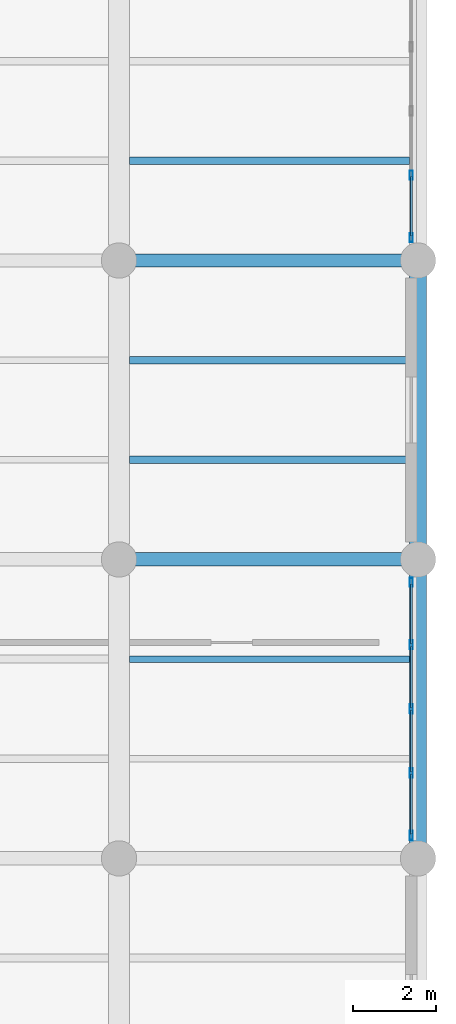
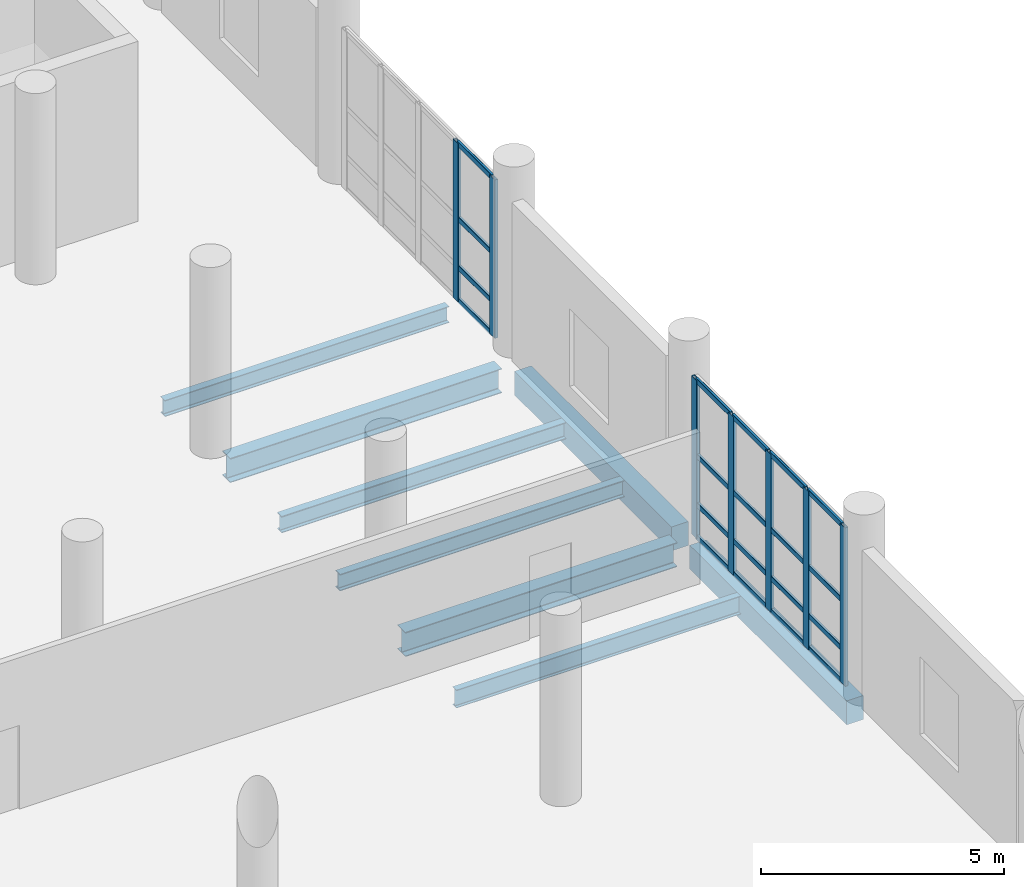
# One storey, part 70 of 127: 27 members, 8 beams, 2 elements without a shape of their own.
"""IFC4 building model written with IfcOpenShell, lengths in metres."""

from ifc_helpers import new_model, si_unit, direction, frame, origin, origin_2d, place, context, subcontext, project, spatial, rectangle, hollow_rectangle, i_section, extrude, material, material_profile, profile_set, type_object, element, aggregate, save


model = new_model("IFC4")

# Units and contexts
model_context = context("Model", 3, precision=1e-05, world=origin(), true_north=direction((0.0, 1.0)))
body_context = subcontext(model_context, "Body", "Model", "MODEL_VIEW")
ifc_project = project(units=[si_unit("LENGTHUNIT", "METRE"), si_unit("AREAUNIT", "SQUARE_METRE"), si_unit("VOLUMEUNIT", "CUBIC_METRE"), si_unit("PLANEANGLEUNIT", "RADIAN"), si_unit("MASSUNIT", "GRAM", prefix="KILO")], contexts=[model_context])

# Site, building, storey
site_placement = place(None, origin())
site = spatial("IfcSite", under=ifc_project, at=site_placement, CompositionType="ELEMENT")
building_placement = place(site_placement, origin())
building = spatial("IfcBuilding", under=site, at=building_placement, Name="Kalmorath City Hall", CompositionType="ELEMENT")
storey_placement = place(building_placement, frame((0.0, 0.0, 5.39990234375)))
storey = spatial("IfcBuildingStorey", under=building, at=storey_placement, Name="L01", CompositionType="ELEMENT", Elevation=5.39990234375)

# Beams
ifc_material_1 = material(Name="Concrete C40/50", Category="concrete")
ifc_material_profile_1 = material_profile(ifc_material_1, rectangle(XDim=0.39990234375, YDim=0.60009765625, at=origin_2d()), Name="RC-BM-400X600")
ifc_profile_set_1 = profile_set([ifc_material_profile_1], Name="Concrete C40/50")
beam_type_1 = type_object("IfcBeamType", Name="Concrete edge beam 400x600", PredefinedType="SPANDREL", material=ifc_profile_set_1)
for number, where, z_axis, x_axis, name in (
    (1, (165.60009765625, 65.175048828125, -0.6240234375), (0.0, 1.0, 0.0), (-1.0, 0.0, 0.0), "L01 girder CB6 Y24/10-11"),
    (2, (165.60009765625, 72.375, -0.6240234375), (0.0, 1.0, 0.0), (-1.0, 0.0, 0.0), "L01 girder CB6 Y24/11-12"),
):
    element("IfcBeam", number, at=place(storey_placement, frame(where, z_axis=z_axis, x_axis=x_axis)), inside=storey, type_object=beam_type_1, Name=name, PredefinedType="SPANDREL", context=body_context, shape_type="SweptSolid", body=[
        extrude(rectangle(XDim=0.39990234375, YDim=0.60009765625, at=origin_2d()), origin(), (0.0, 0.0, 1.0), 6.449951171875),
    ])

# Curtain wall, members
ifc_material_2 = material(Name="Anodised aluminium and laminated glass", Category="aluminium")
curtain_wall_type = type_object("IfcCurtainWallType", Name="Unitised hurricane curtain wall 6170x3976 M1650", PredefinedType="NOTDEFINED", material=ifc_material_2)
curtain_wall_1_placement = place(storey_placement, origin())
curtain_wall_1 = element("IfcCurtainWall", 3, at=curtain_wall_1_placement, inside=storey, type_object=curtain_wall_type, Name="L01 curtain wall CW-62X40M16 #64", PredefinedType="NOTDEFINED")
ifc_material_3 = material(Name="Anodised aluminium framing", Category="aluminium")
ifc_material_profile_2 = material_profile(ifc_material_3, hollow_rectangle(XDim=0.06005859375, YDim=0.1298828125, WallThickness=0.00341796875, InnerFilletRadius=0.00341796875, OuterFilletRadius=0.007080078125, at=origin_2d()), Name="ALU-TRN-130X60X3.5")
ifc_profile_set_2 = profile_set([ifc_material_profile_2], Name="Anodised aluminium framing")
member_type_1 = type_object("IfcMemberType", Name="Curtain-wall courtyard transom 130x60", PredefinedType="USERDEFINED", material=ifc_profile_set_2)
member_1_placement = place(storey_placement, frame((165.43994140625, 81.219970703125, 0.030029296875), z_axis=(0.0, -1.0, 0.0), x_axis=(1.0, 0.0, 0.0)))
member_1 = element("IfcMember", 4, at=member_1_placement, type_object=member_type_1, Name="CW-62X40M16 transom 4.1", ObjectType="TRANSOM", PredefinedType="USERDEFINED", context=body_context, shape_type="SweptSolid", body=[
    extrude(hollow_rectangle(XDim=0.06005859375, YDim=0.1298828125, WallThickness=0.00341796875, InnerFilletRadius=0.00341796875, OuterFilletRadius=0.007080078125, at=origin_2d()), origin(), (0.0, 0.0, 1.0), 1.429931640625),
])
member_2_placement = place(storey_placement, frame((165.43994140625, 81.219970703125, 0.85009765625), z_axis=(0.0, -1.0, 0.0), x_axis=(1.0, 0.0, 0.0)))
member_2 = element("IfcMember", 5, at=member_2_placement, type_object=member_type_1, Name="CW-62X40M16 transom 4.2", ObjectType="TRANSOM", PredefinedType="USERDEFINED", context=body_context, shape_type="SweptSolid", body=[
    extrude(hollow_rectangle(XDim=0.06005859375, YDim=0.1298828125, WallThickness=0.00341796875, InnerFilletRadius=0.00341796875, OuterFilletRadius=0.007080078125, at=origin_2d()), origin(), (0.0, 0.0, 1.0), 1.429931640625),
])
member_3_placement = place(storey_placement, frame((165.43994140625, 81.219970703125, 2.068115234375), z_axis=(0.0, -1.0, 0.0), x_axis=(1.0, 0.0, 0.0)))
member_3 = element("IfcMember", 6, at=member_3_placement, type_object=member_type_1, Name="CW-62X40M16 transom 4.3", ObjectType="TRANSOM", PredefinedType="USERDEFINED", context=body_context, shape_type="SweptSolid", body=[
    extrude(hollow_rectangle(XDim=0.06005859375, YDim=0.1298828125, WallThickness=0.00341796875, InnerFilletRadius=0.00341796875, OuterFilletRadius=0.007080078125, at=origin_2d()), origin(), (0.0, 0.0, 1.0), 1.429931640625),
])
member_4_placement = place(storey_placement, frame((165.43994140625, 81.219970703125, 3.946044921875), z_axis=(0.0, -1.0, 0.0), x_axis=(1.0, 0.0, 0.0)))
member_4 = element("IfcMember", 7, at=member_4_placement, type_object=member_type_1, Name="CW-62X40M16 transom 4.4", ObjectType="TRANSOM", PredefinedType="USERDEFINED", context=body_context, shape_type="SweptSolid", body=[
    extrude(hollow_rectangle(XDim=0.06005859375, YDim=0.1298828125, WallThickness=0.00341796875, InnerFilletRadius=0.00341796875, OuterFilletRadius=0.007080078125, at=origin_2d()), origin(), (0.0, 0.0, 1.0), 1.429931640625),
])

curtain_wall_2_placement = place(storey_placement, origin())
curtain_wall_2 = element("IfcCurtainWall", 8, at=curtain_wall_2_placement, inside=storey, type_object=curtain_wall_type, Name="L01 curtain wall CW-62X40M16 #65", PredefinedType="NOTDEFINED")
member_5_placement = place(storey_placement, frame((165.43994140625, 71.409912109375, 0.030029296875), z_axis=(0.0, -1.0, 0.0), x_axis=(1.0, 0.0, 0.0)))
member_5 = element("IfcMember", 9, at=member_5_placement, type_object=member_type_1, Name="CW-62X40M16 transom 1.1", ObjectType="TRANSOM", PredefinedType="USERDEFINED", context=body_context, shape_type="SweptSolid", body=[
    extrude(hollow_rectangle(XDim=0.06005859375, YDim=0.1298828125, WallThickness=0.00341796875, InnerFilletRadius=0.00341796875, OuterFilletRadius=0.007080078125, at=origin_2d()), origin(), (0.0, 0.0, 1.0), 1.429931640625),
])
member_6_placement = place(storey_placement, frame((165.43994140625, 71.409912109375, 0.85009765625), z_axis=(0.0, -1.0, 0.0), x_axis=(1.0, 0.0, 0.0)))
member_6 = element("IfcMember", 10, at=member_6_placement, type_object=member_type_1, Name="CW-62X40M16 transom 1.2", ObjectType="TRANSOM", PredefinedType="USERDEFINED", context=body_context, shape_type="SweptSolid", body=[
    extrude(hollow_rectangle(XDim=0.06005859375, YDim=0.1298828125, WallThickness=0.00341796875, InnerFilletRadius=0.00341796875, OuterFilletRadius=0.007080078125, at=origin_2d()), origin(), (0.0, 0.0, 1.0), 1.429931640625),
])
member_7_placement = place(storey_placement, frame((165.43994140625, 71.409912109375, 2.068115234375), z_axis=(0.0, -1.0, 0.0), x_axis=(1.0, 0.0, 0.0)))
member_7 = element("IfcMember", 11, at=member_7_placement, type_object=member_type_1, Name="CW-62X40M16 transom 1.3", ObjectType="TRANSOM", PredefinedType="USERDEFINED", context=body_context, shape_type="SweptSolid", body=[
    extrude(hollow_rectangle(XDim=0.06005859375, YDim=0.1298828125, WallThickness=0.00341796875, InnerFilletRadius=0.00341796875, OuterFilletRadius=0.007080078125, at=origin_2d()), origin(), (0.0, 0.0, 1.0), 1.429931640625),
])
member_8_placement = place(storey_placement, frame((165.43994140625, 71.409912109375, 3.946044921875), z_axis=(0.0, -1.0, 0.0), x_axis=(1.0, 0.0, 0.0)))
member_8 = element("IfcMember", 12, at=member_8_placement, type_object=member_type_1, Name="CW-62X40M16 transom 1.4", ObjectType="TRANSOM", PredefinedType="USERDEFINED", context=body_context, shape_type="SweptSolid", body=[
    extrude(hollow_rectangle(XDim=0.06005859375, YDim=0.1298828125, WallThickness=0.00341796875, InnerFilletRadius=0.00341796875, OuterFilletRadius=0.007080078125, at=origin_2d()), origin(), (0.0, 0.0, 1.0), 1.429931640625),
])
member_9_placement = place(storey_placement, frame((165.43994140625, 69.905029296875, 0.030029296875), z_axis=(0.0, -1.0, 0.0), x_axis=(1.0, 0.0, 0.0)))
member_9 = element("IfcMember", 13, at=member_9_placement, type_object=member_type_1, Name="CW-62X40M16 transom 2.1", ObjectType="TRANSOM", PredefinedType="USERDEFINED", context=body_context, shape_type="SweptSolid", body=[
    extrude(hollow_rectangle(XDim=0.06005859375, YDim=0.1298828125, WallThickness=0.00341796875, InnerFilletRadius=0.00341796875, OuterFilletRadius=0.007080078125, at=origin_2d()), origin(), (0.0, 0.0, 1.0), 1.467529296875),
])
member_10_placement = place(storey_placement, frame((165.43994140625, 69.905029296875, 0.85009765625), z_axis=(0.0, -1.0, 0.0), x_axis=(1.0, 0.0, 0.0)))
member_10 = element("IfcMember", 14, at=member_10_placement, type_object=member_type_1, Name="CW-62X40M16 transom 2.2", ObjectType="TRANSOM", PredefinedType="USERDEFINED", context=body_context, shape_type="SweptSolid", body=[
    extrude(hollow_rectangle(XDim=0.06005859375, YDim=0.1298828125, WallThickness=0.00341796875, InnerFilletRadius=0.00341796875, OuterFilletRadius=0.007080078125, at=origin_2d()), origin(), (0.0, 0.0, 1.0), 1.467529296875),
])
member_11_placement = place(storey_placement, frame((165.43994140625, 69.905029296875, 2.068115234375), z_axis=(0.0, -1.0, 0.0), x_axis=(1.0, 0.0, 0.0)))
member_11 = element("IfcMember", 15, at=member_11_placement, type_object=member_type_1, Name="CW-62X40M16 transom 2.3", ObjectType="TRANSOM", PredefinedType="USERDEFINED", context=body_context, shape_type="SweptSolid", body=[
    extrude(hollow_rectangle(XDim=0.06005859375, YDim=0.1298828125, WallThickness=0.00341796875, InnerFilletRadius=0.00341796875, OuterFilletRadius=0.007080078125, at=origin_2d()), origin(), (0.0, 0.0, 1.0), 1.467529296875),
])
member_12_placement = place(storey_placement, frame((165.43994140625, 69.905029296875, 3.946044921875), z_axis=(0.0, -1.0, 0.0), x_axis=(1.0, 0.0, 0.0)))
member_12 = element("IfcMember", 16, at=member_12_placement, type_object=member_type_1, Name="CW-62X40M16 transom 2.4", ObjectType="TRANSOM", PredefinedType="USERDEFINED", context=body_context, shape_type="SweptSolid", body=[
    extrude(hollow_rectangle(XDim=0.06005859375, YDim=0.1298828125, WallThickness=0.00341796875, InnerFilletRadius=0.00341796875, OuterFilletRadius=0.007080078125, at=origin_2d()), origin(), (0.0, 0.0, 1.0), 1.467529296875),
])
member_13_placement = place(storey_placement, frame((165.43994140625, 68.362548828125, 0.030029296875), z_axis=(0.0, -1.0, 0.0), x_axis=(1.0, 0.0, 0.0)))
member_13 = element("IfcMember", 17, at=member_13_placement, type_object=member_type_1, Name="CW-62X40M16 transom 3.1", ObjectType="TRANSOM", PredefinedType="USERDEFINED", context=body_context, shape_type="SweptSolid", body=[
    extrude(hollow_rectangle(XDim=0.06005859375, YDim=0.1298828125, WallThickness=0.00341796875, InnerFilletRadius=0.00341796875, OuterFilletRadius=0.007080078125, at=origin_2d()), origin(), (0.0, 0.0, 1.0), 1.467529296875),
])
member_14_placement = place(storey_placement, frame((165.43994140625, 68.362548828125, 0.85009765625), z_axis=(0.0, -1.0, 0.0), x_axis=(1.0, 0.0, 0.0)))
member_14 = element("IfcMember", 18, at=member_14_placement, type_object=member_type_1, Name="CW-62X40M16 transom 3.2", ObjectType="TRANSOM", PredefinedType="USERDEFINED", context=body_context, shape_type="SweptSolid", body=[
    extrude(hollow_rectangle(XDim=0.06005859375, YDim=0.1298828125, WallThickness=0.00341796875, InnerFilletRadius=0.00341796875, OuterFilletRadius=0.007080078125, at=origin_2d()), origin(), (0.0, 0.0, 1.0), 1.467529296875),
])
member_15_placement = place(storey_placement, frame((165.43994140625, 68.362548828125, 2.068115234375), z_axis=(0.0, -1.0, 0.0), x_axis=(1.0, 0.0, 0.0)))
member_15 = element("IfcMember", 19, at=member_15_placement, type_object=member_type_1, Name="CW-62X40M16 transom 3.3", ObjectType="TRANSOM", PredefinedType="USERDEFINED", context=body_context, shape_type="SweptSolid", body=[
    extrude(hollow_rectangle(XDim=0.06005859375, YDim=0.1298828125, WallThickness=0.00341796875, InnerFilletRadius=0.00341796875, OuterFilletRadius=0.007080078125, at=origin_2d()), origin(), (0.0, 0.0, 1.0), 1.467529296875),
])
member_16_placement = place(storey_placement, frame((165.43994140625, 68.362548828125, 3.946044921875), z_axis=(0.0, -1.0, 0.0), x_axis=(1.0, 0.0, 0.0)))
member_16 = element("IfcMember", 20, at=member_16_placement, type_object=member_type_1, Name="CW-62X40M16 transom 3.4", ObjectType="TRANSOM", PredefinedType="USERDEFINED", context=body_context, shape_type="SweptSolid", body=[
    extrude(hollow_rectangle(XDim=0.06005859375, YDim=0.1298828125, WallThickness=0.00341796875, InnerFilletRadius=0.00341796875, OuterFilletRadius=0.007080078125, at=origin_2d()), origin(), (0.0, 0.0, 1.0), 1.467529296875),
])
member_17_placement = place(storey_placement, frame((165.43994140625, 66.820068359375, 0.030029296875), z_axis=(0.0, -1.0, 0.0), x_axis=(1.0, 0.0, 0.0)))
member_17 = element("IfcMember", 21, at=member_17_placement, type_object=member_type_1, Name="CW-62X40M16 transom 4.1", ObjectType="TRANSOM", PredefinedType="USERDEFINED", context=body_context, shape_type="SweptSolid", body=[
    extrude(hollow_rectangle(XDim=0.06005859375, YDim=0.1298828125, WallThickness=0.00341796875, InnerFilletRadius=0.00341796875, OuterFilletRadius=0.007080078125, at=origin_2d()), origin(), (0.0, 0.0, 1.0), 1.43017578125),
])
member_18_placement = place(storey_placement, frame((165.43994140625, 66.820068359375, 0.85009765625), z_axis=(0.0, -1.0, 0.0), x_axis=(1.0, 0.0, 0.0)))
member_18 = element("IfcMember", 22, at=member_18_placement, type_object=member_type_1, Name="CW-62X40M16 transom 4.2", ObjectType="TRANSOM", PredefinedType="USERDEFINED", context=body_context, shape_type="SweptSolid", body=[
    extrude(hollow_rectangle(XDim=0.06005859375, YDim=0.1298828125, WallThickness=0.00341796875, InnerFilletRadius=0.00341796875, OuterFilletRadius=0.007080078125, at=origin_2d()), origin(), (0.0, 0.0, 1.0), 1.43017578125),
])
member_19_placement = place(storey_placement, frame((165.43994140625, 66.820068359375, 2.068115234375), z_axis=(0.0, -1.0, 0.0), x_axis=(1.0, 0.0, 0.0)))
member_19 = element("IfcMember", 23, at=member_19_placement, type_object=member_type_1, Name="CW-62X40M16 transom 4.3", ObjectType="TRANSOM", PredefinedType="USERDEFINED", context=body_context, shape_type="SweptSolid", body=[
    extrude(hollow_rectangle(XDim=0.06005859375, YDim=0.1298828125, WallThickness=0.00341796875, InnerFilletRadius=0.00341796875, OuterFilletRadius=0.007080078125, at=origin_2d()), origin(), (0.0, 0.0, 1.0), 1.43017578125),
])
member_20_placement = place(storey_placement, frame((165.43994140625, 66.820068359375, 3.946044921875), z_axis=(0.0, -1.0, 0.0), x_axis=(1.0, 0.0, 0.0)))
member_20 = element("IfcMember", 24, at=member_20_placement, type_object=member_type_1, Name="CW-62X40M16 transom 4.4", ObjectType="TRANSOM", PredefinedType="USERDEFINED", context=body_context, shape_type="SweptSolid", body=[
    extrude(hollow_rectangle(XDim=0.06005859375, YDim=0.1298828125, WallThickness=0.00341796875, InnerFilletRadius=0.00341796875, OuterFilletRadius=0.007080078125, at=origin_2d()), origin(), (0.0, 0.0, 1.0), 1.43017578125),
])

# Member
ifc_material_4 = material(Name="Anodised aluminium framing", Category="aluminium")
ifc_material_profile_3 = material_profile(ifc_material_4, hollow_rectangle(XDim=0.074951171875, YDim=0.219970703125, WallThickness=0.00390625, InnerFilletRadius=0.00390625, OuterFilletRadius=0.008056640625, at=origin_2d()), Name="ALU-MUL-220X75X4")
ifc_profile_set_3 = profile_set([ifc_material_profile_3], Name="Anodised aluminium framing")
member_type_2 = type_object("IfcMemberType", Name="Curtain-wall primary mullion 220x75", PredefinedType="MULLION", material=ifc_profile_set_3)
member_21_placement = place(storey_placement, frame((165.43994140625, 81.257568359375, 0.0), z_axis=(0.0, 0.0, 1.0), x_axis=(1.0, 0.0, 0.0)))
member_21 = element("IfcMember", 25, at=member_21_placement, type_object=member_type_2, Name="CW-62X40M16 mullion 4", PredefinedType="MULLION", context=body_context, shape_type="SweptSolid", body=[
    extrude(hollow_rectangle(XDim=0.074951171875, YDim=0.219970703125, WallThickness=0.00390625, InnerFilletRadius=0.00390625, OuterFilletRadius=0.008056640625, at=origin_2d()), origin(), (0.0, 0.0, 1.0), 3.97607421875),
])

member_22_placement = place(storey_placement, frame((165.43994140625, 79.75244140625, 0.0), z_axis=(0.0, 0.0, 1.0), x_axis=(1.0, 0.0, 0.0)))
member_22 = element("IfcMember", 26, at=member_22_placement, type_object=member_type_2, Name="CW-62X40M16 mullion 5", PredefinedType="MULLION", context=body_context, shape_type="SweptSolid", body=[
    extrude(hollow_rectangle(XDim=0.074951171875, YDim=0.219970703125, WallThickness=0.00390625, InnerFilletRadius=0.00390625, OuterFilletRadius=0.008056640625, at=origin_2d()), origin(), (0.0, 0.0, 1.0), 3.97607421875),
])

aggregate(curtain_wall_1, [member_21, member_22, member_1, member_2, member_3, member_4])

member_23_placement = place(storey_placement, frame((165.43994140625, 71.447509765625, 0.0), z_axis=(0.0, 0.0, 1.0), x_axis=(1.0, 0.0, 0.0)))
member_23 = element("IfcMember", 27, at=member_23_placement, type_object=member_type_2, Name="CW-62X40M16 mullion 1", PredefinedType="MULLION", context=body_context, shape_type="SweptSolid", body=[
    extrude(hollow_rectangle(XDim=0.074951171875, YDim=0.219970703125, WallThickness=0.00390625, InnerFilletRadius=0.00390625, OuterFilletRadius=0.008056640625, at=origin_2d()), origin(), (0.0, 0.0, 1.0), 3.97607421875),
])

member_24_placement = place(storey_placement, frame((165.43994140625, 69.9423828125, 0.0), z_axis=(0.0, 0.0, 1.0), x_axis=(1.0, 0.0, 0.0)))
member_24 = element("IfcMember", 28, at=member_24_placement, type_object=member_type_2, Name="CW-62X40M16 mullion 2", PredefinedType="MULLION", context=body_context, shape_type="SweptSolid", body=[
    extrude(hollow_rectangle(XDim=0.074951171875, YDim=0.219970703125, WallThickness=0.00390625, InnerFilletRadius=0.00390625, OuterFilletRadius=0.008056640625, at=origin_2d()), origin(), (0.0, 0.0, 1.0), 3.97607421875),
])

member_25_placement = place(storey_placement, frame((165.43994140625, 68.39990234375, 0.0), z_axis=(0.0, 0.0, 1.0), x_axis=(1.0, 0.0, 0.0)))
member_25 = element("IfcMember", 29, at=member_25_placement, type_object=member_type_2, Name="CW-62X40M16 mullion 3", PredefinedType="MULLION", context=body_context, shape_type="SweptSolid", body=[
    extrude(hollow_rectangle(XDim=0.074951171875, YDim=0.219970703125, WallThickness=0.00390625, InnerFilletRadius=0.00390625, OuterFilletRadius=0.008056640625, at=origin_2d()), origin(), (0.0, 0.0, 1.0), 3.97607421875),
])

member_26_placement = place(storey_placement, frame((165.43994140625, 66.857421875, 0.0), z_axis=(0.0, 0.0, 1.0), x_axis=(1.0, 0.0, 0.0)))
member_26 = element("IfcMember", 30, at=member_26_placement, type_object=member_type_2, Name="CW-62X40M16 mullion 4", PredefinedType="MULLION", context=body_context, shape_type="SweptSolid", body=[
    extrude(hollow_rectangle(XDim=0.074951171875, YDim=0.219970703125, WallThickness=0.00390625, InnerFilletRadius=0.00390625, OuterFilletRadius=0.008056640625, at=origin_2d()), origin(), (0.0, 0.0, 1.0), 3.97607421875),
])

member_27_placement = place(storey_placement, frame((165.43994140625, 65.3525390625, 0.0), z_axis=(0.0, 0.0, 1.0), x_axis=(1.0, 0.0, 0.0)))
member_27 = element("IfcMember", 31, at=member_27_placement, type_object=member_type_2, Name="CW-62X40M16 mullion 5", PredefinedType="MULLION", context=body_context, shape_type="SweptSolid", body=[
    extrude(hollow_rectangle(XDim=0.074951171875, YDim=0.219970703125, WallThickness=0.00390625, InnerFilletRadius=0.00390625, OuterFilletRadius=0.008056640625, at=origin_2d()), origin(), (0.0, 0.0, 1.0), 3.97607421875),
])

aggregate(curtain_wall_2, [member_23, member_24, member_25, member_26, member_27, member_5, member_6, member_7, member_8, member_9, member_10, member_11, member_12, member_13, member_14, member_15, member_16, member_17, member_18, member_19, member_20])

# Beams
ifc_material_5 = material(Name="Steel ASTM A992 Grade 50", Category="steel")
ifc_material_profile_4 = material_profile(ifc_material_5, i_section(OverallWidth=0.178955078125, OverallDepth=0.409912109375, WebThickness=0.0087890625, FlangeThickness=0.014404296875, FilletRadius=0.012939453125, at=origin_2d()), Name="W16X45")
ifc_profile_set_4 = profile_set([ifc_material_profile_4], Name="Steel ASTM A992 Grade 50")
beam_type_2 = type_object("IfcBeamType", Name="Steel composite joist W16X45", PredefinedType="JOIST", material=ifc_profile_set_4)
beam_1_placement = place(storey_placement, frame((158.64990234375, 81.60009765625, -0.52880859375), z_axis=(1.0, 0.0, 0.0), x_axis=(0.0, 1.0, 0.0)))
element("IfcBeam", 32, at=beam_1_placement, inside=storey, type_object=beam_type_2, Name="L01 joist SJ6 23.12.1", PredefinedType="JOIST", context=body_context, shape_type="SweptSolid", body=[
    extrude(i_section(OverallWidth=0.178955078125, OverallDepth=0.409912109375, WebThickness=0.0087890625, FlangeThickness=0.014404296875, FilletRadius=0.012939453125, at=origin_2d()), origin(), (0.0, 0.0, 1.0), 6.75),
])
ifc_material_6 = material(Name="Steel ASTM A992 Grade 50", Category="steel")
ifc_material_profile_5 = material_profile(ifc_material_6, i_section(OverallWidth=0.180908203125, OverallDepth=0.4169921875, WebThickness=0.010986328125, FlangeThickness=0.018310546875, FilletRadius=0.012939453125, at=origin_2d()), Name="W16X57")
ifc_profile_set_5 = profile_set([ifc_material_profile_5], Name="Steel ASTM A992 Grade 50")
beam_type_3 = type_object("IfcBeamType", Name="Steel composite joist W16X57", PredefinedType="JOIST", material=ifc_profile_set_5)
for number, where, z_axis, x_axis, name in (
    (33, (158.64990234375, 74.39990234375, -0.532470703125), (1.0, 0.0, 0.0), (0.0, 1.0, 0.0), "L01 joist SJ5 23.11.1"),
    (34, (158.64990234375, 76.800048828125, -0.532470703125), (1.0, 0.0, 0.0), (0.0, 1.0, 0.0), "L01 joist SJ5 23.11.2"),
):
    element("IfcBeam", number, at=place(storey_placement, frame(where, z_axis=z_axis, x_axis=x_axis)), inside=storey, type_object=beam_type_3, Name=name, PredefinedType="JOIST", context=body_context, shape_type="SweptSolid", body=[
        extrude(i_section(OverallWidth=0.180908203125, OverallDepth=0.4169921875, WebThickness=0.010986328125, FlangeThickness=0.018310546875, FilletRadius=0.012939453125, at=origin_2d()), origin(), (0.0, 0.0, 1.0), 6.75),
    ])
ifc_material_7 = material(Name="Steel ASTM A992 Grade 50", Category="steel")
ifc_material_profile_6 = material_profile(ifc_material_7, i_section(OverallWidth=0.153076171875, OverallDepth=0.455078125, WebThickness=0.008056640625, FlangeThickness=0.01318359375, FilletRadius=0.013916015625, at=origin_2d()), Name="W18X40")
ifc_profile_set_6 = profile_set([ifc_material_profile_6], Name="Steel ASTM A992 Grade 50")
beam_type_4 = type_object("IfcBeamType", Name="Steel composite joist W18X40", PredefinedType="JOIST", material=ifc_profile_set_6)
beam_2_placement = place(storey_placement, frame((158.64990234375, 69.60009765625, -0.551513671875), z_axis=(1.0, 0.0, 0.0), x_axis=(0.0, 1.0, 0.0)))
element("IfcBeam", 35, at=beam_2_placement, inside=storey, type_object=beam_type_4, Name="L01 joist SJ4 23.10.2", PredefinedType="JOIST", context=body_context, shape_type="SweptSolid", body=[
    extrude(i_section(OverallWidth=0.153076171875, OverallDepth=0.455078125, WebThickness=0.008056640625, FlangeThickness=0.01318359375, FilletRadius=0.013916015625, at=origin_2d()), origin(), (0.0, 0.0, 1.0), 6.75),
])
ifc_material_8 = material(Name="Steel ASTM A992 Grade 50", Category="steel")
ifc_material_profile_7 = material_profile(ifc_material_8, i_section(OverallWidth=0.323974609375, OverallDepth=0.611083984375, WebThickness=0.0126953125, FlangeThickness=0.01904296875, FilletRadius=0.01611328125, at=origin_2d()), Name="W24X104")
ifc_profile_set_7 = profile_set([ifc_material_profile_7], Name="Steel ASTM A992 Grade 50")
beam_type_5 = type_object("IfcBeamType", Name="Steel floor girder W24X104", PredefinedType="BEAM", material=ifc_profile_set_7)
for number, where, z_axis, x_axis, name in (
    (36, (158.77490234375, 72.0, -0.62939453125), (1.0, 0.0, 0.0), (0.0, 1.0, 0.0), "L01 girder SG7 X23-24/11"),
    (37, (158.77490234375, 79.199951171875, -0.62939453125), (1.0, 0.0, 0.0), (0.0, 1.0, 0.0), "L01 girder SG7 X23-24/12"),
):
    element("IfcBeam", number, at=place(storey_placement, frame(where, z_axis=z_axis, x_axis=x_axis)), inside=storey, type_object=beam_type_5, Name=name, PredefinedType="BEAM", context=body_context, shape_type="SweptSolid", body=[
        extrude(i_section(OverallWidth=0.323974609375, OverallDepth=0.611083984375, WebThickness=0.0126953125, FlangeThickness=0.01904296875, FilletRadius=0.01611328125, at=origin_2d()), origin(), (0.0, 0.0, 1.0), 6.4501953125),
    ])

save(model, "model.ifc")
